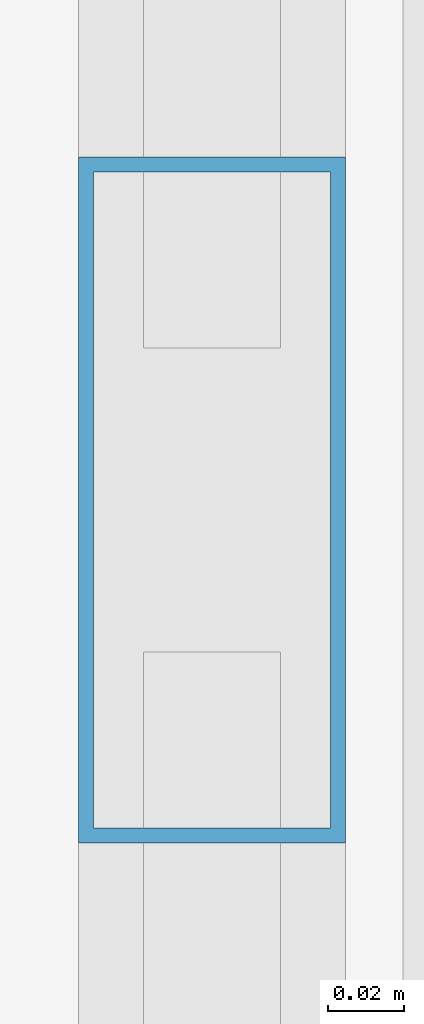
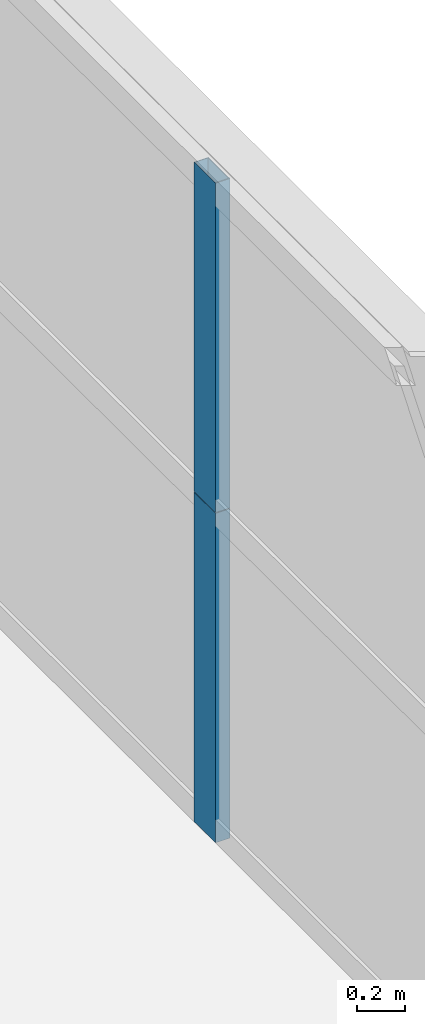
# One storey, part 19 of 43: 2 members, 1 element without a shape of its own.
"""IFC4 building model written with IfcOpenShell, lengths in metres."""

from ifc_helpers import new_model, si_unit, direction, frame, origin, origin_2d, place, context, subcontext, project, spatial, hollow_rectangle, extrude, source, transform, mapped, material, layer, layer_set, material_profile, profile_set, type_object, element, aggregate, save


model = new_model("IFC4")

# Units and contexts
model_context = context("Model", 3, precision=1e-05, world=origin(), true_north=direction((0.0, 1.0)))
body_context = subcontext(model_context, "Body", "Model", "MODEL_VIEW")
ifc_project = project(units=[si_unit("LENGTHUNIT", "METRE"), si_unit("AREAUNIT", "SQUARE_METRE"), si_unit("VOLUMEUNIT", "CUBIC_METRE"), si_unit("PLANEANGLEUNIT", "RADIAN"), si_unit("MASSUNIT", "GRAM", prefix="KILO"), si_unit("THERMODYNAMICTEMPERATUREUNIT", "KELVIN"), si_unit("POWERUNIT", "WATT")], contexts=[model_context])

# Site, building, storey
site_placement = place(None, origin())
site = spatial("IfcSite", under=ifc_project, at=site_placement, CompositionType="ELEMENT")
building_placement = place(site_placement, origin())
building = spatial("IfcBuilding", under=site, at=building_placement, Name="Yuzanri Waterfront Tower", CompositionType="ELEMENT")
storey_placement = place(building_placement, frame((0.0, 0.0, 46.0)))
storey = spatial("IfcBuildingStorey", under=building, at=storey_placement, Name="L11", CompositionType="ELEMENT", Elevation=46.0)

# Curtain wall, members
ifc_material_1 = material(Name="Anodized Architectural Bronze", Category="metal")
ifc_layer = layer(ifc_material_1, 0.159912109375)
ifc_layer_set = layer_set([ifc_layer], Name="Anodized Architectural Bronze")
curtain_wall_type = type_object("IfcCurtainWallType", Name="Anodized Bronze Hotel Lower-Tier Recessed Unitized Curtain Wall 8100", PredefinedType="NOTDEFINED", material=ifc_layer_set)
curtain_wall_placement = place(storey_placement, origin())
curtain_wall = element("IfcCurtainWall", 1, at=curtain_wall_placement, inside=storey, type_object=curtain_wall_type, Name="L11 Curtain Wall CW-L11-EL", PredefinedType="NOTDEFINED")
ifc_material_2 = material(Name="Anodized Architectural Bronze", Category="metal")
ifc_material_profile = material_profile(ifc_material_2, hollow_rectangle(XDim=0.070068359375, YDim=0.179931640625, WallThickness=0.00390625, at=origin_2d()), Name="CWM 70x180")
ifc_profile_set = profile_set([ifc_material_profile], Name="Anodized Architectural Bronze")
member_type = type_object("IfcMemberType", Name="Anodized Bronze Standard Curtain-Wall Mullion 70x180", PredefinedType="MULLION", material=ifc_profile_set)
shared_shape = source(origin(), body_context, "Body", "SweptSolid", [
    extrude(hollow_rectangle(XDim=0.070068359375, YDim=0.179931640625, WallThickness=0.00390625, at=origin_2d()), origin(), (0.0, 0.0, 1.0), 1.68798828125),
])
member_1_placement = place(storey_placement, frame((61.949951171875, 16.699951171875, 0.0), z_axis=(0.0, 0.0, 1.0), x_axis=(1.0, 0.0, 0.0)))
member_1 = element("IfcMember", 2, at=member_1_placement, type_object=member_type, Name="CW-L11-EL Lower Mullion 01", PredefinedType="MULLION", context=body_context, shape_type="MappedRepresentation", body=[
    mapped(shared_shape, transform((0.0, 0.0, 0.0), scale=1.0)),
])
member_2_placement = place(storey_placement, frame((61.949951171875, 16.699951171875, 1.69189453125), z_axis=(0.0, 0.0, 1.0), x_axis=(1.0, 0.0, 0.0)))
member_2 = element("IfcMember", 3, at=member_2_placement, type_object=member_type, Name="CW-L11-EL Upper Mullion 01", PredefinedType="MULLION", context=body_context, shape_type="MappedRepresentation", body=[
    mapped(shared_shape, transform((0.0, 0.0, 0.0), scale=1.0)),
])
aggregate(curtain_wall, [member_1, member_2])

save(model, "model.ifc")
